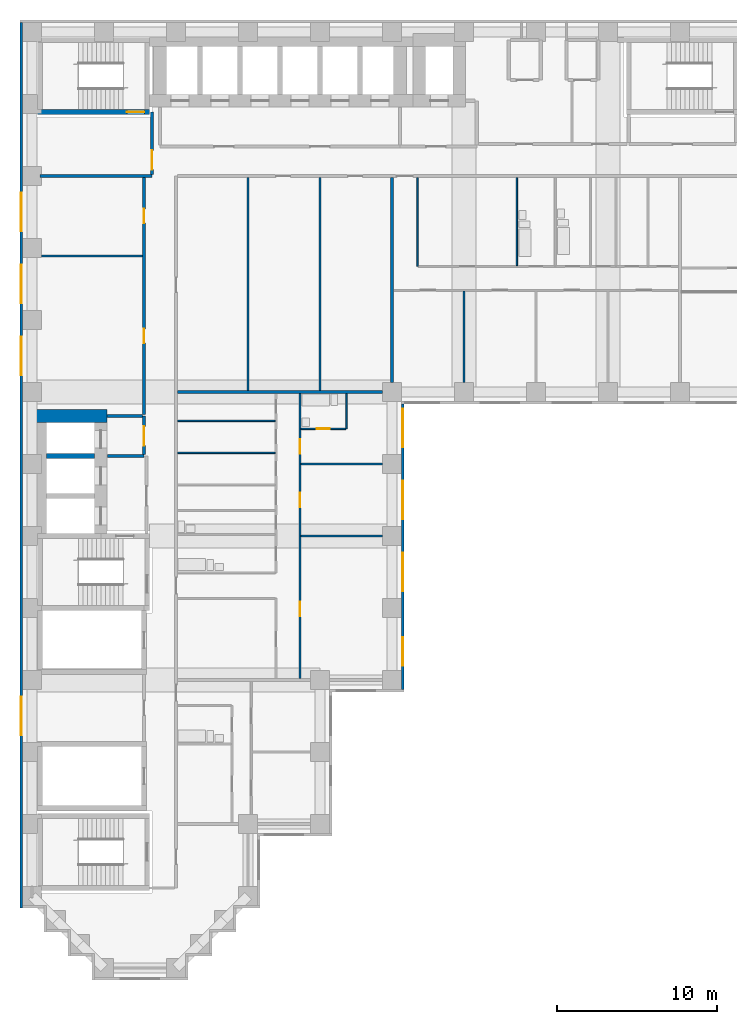
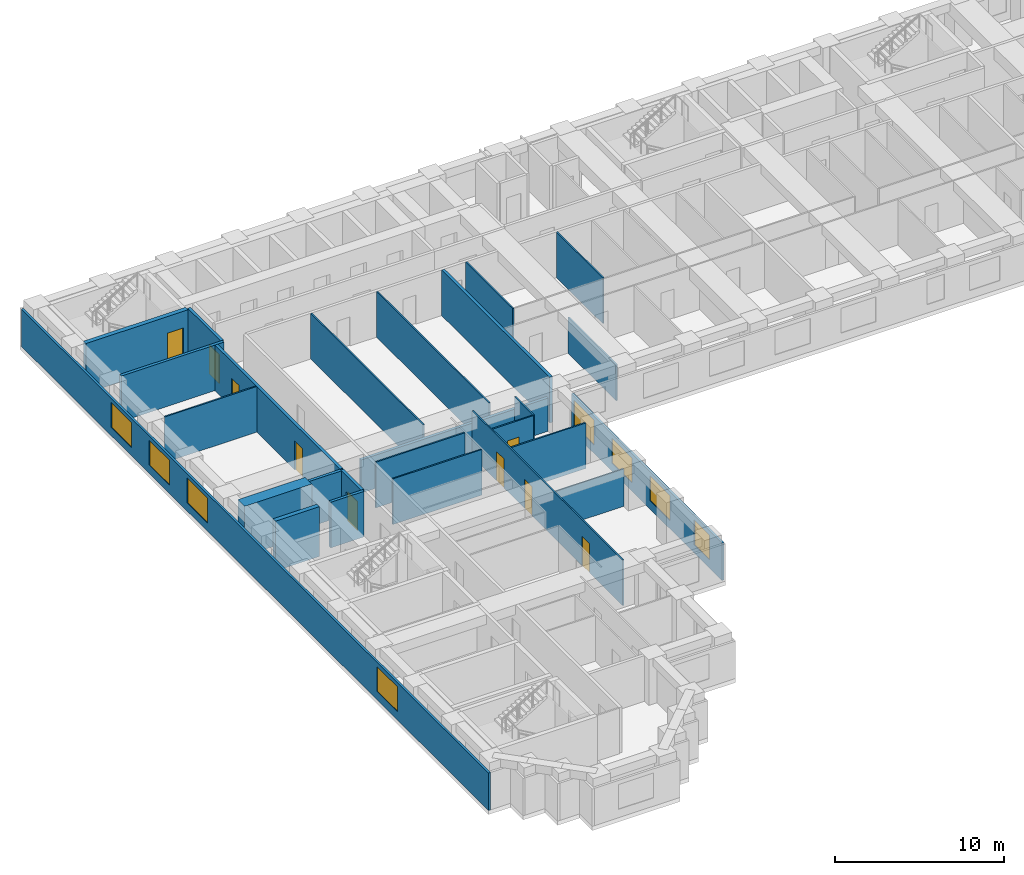
# One storey, part 4 of 12: 26 walls, 9 doors, 8 windows, 17 openings.
"""IFC4 building model written with IfcOpenShell, lengths in metres."""

from ifc_helpers import new_model, si_unit, direction, frame, frame_2d, origin, place, context, subcontext, project, spatial, rectangle, extrude, material, layer, layer_set, type_object, element, fill, save


model = new_model("IFC4")

# Units and contexts
model_context = context("Model", 3, precision=1e-05, world=origin(), true_north=direction((0.0, 1.0)))
body_context = subcontext(model_context, "Body", "Model", "MODEL_VIEW")
ifc_project = project(units=[si_unit("LENGTHUNIT", "METRE"), si_unit("AREAUNIT", "SQUARE_METRE"), si_unit("VOLUMEUNIT", "CUBIC_METRE"), si_unit("PLANEANGLEUNIT", "RADIAN"), si_unit("MASSUNIT", "GRAM", prefix="KILO")], contexts=[model_context])

# Site, building, storey
site_placement = place(None, origin())
site = spatial("IfcSite", under=ifc_project, at=site_placement, CompositionType="ELEMENT")
building_placement = place(site_placement, origin())
building = spatial("IfcBuilding", under=site, at=building_placement, Name="Firuza Court", CompositionType="ELEMENT")
storey_placement = place(building_placement, frame((0.0, 0.0, 97.39990234375)))
storey = spatial("IfcBuildingStorey", under=building, at=storey_placement, Name="L24", CompositionType="ELEMENT", Elevation=97.39990234375)

# Wall, opening, door
ifc_material_1 = material(Name="Moisture-resistant gypsum board partition")
ifc_layer_1 = layer(ifc_material_1, 0.10009765625)
ifc_layer_set_1 = layer_set([ifc_layer_1], Name="Moisture-resistant gypsum board partition")
wall_type_1 = type_object("IfcWallType", Name="Bathroom partition 100", PredefinedType="PLUMBINGWALL", material=ifc_layer_set_1)
wall_1_placement = place(storey_placement, frame((16.800048828125, 33.699951171875, 0.0), z_axis=(0.0, 0.0, 1.0), x_axis=(1.0, 0.0, 0.0)))
wall_1 = element("IfcWall", 1, at=wall_1_placement, inside=storey, type_object=wall_type_1, Name="Bathroom partition 100 L24", PredefinedType="PLUMBINGWALL", context=body_context, shape_type="SweptSolid", body=[
    extrude(rectangle(XDim=2.800048828125, YDim=0.10009765625, at=frame_2d((1.39990234375, 0.0))), origin(), (0.0, 0.0, 1.0), 3.300048828125),
])
opening_1_placement = place(wall_1_placement, frame((1.0, 0.0, 0.0)))
opening_1 = element("IfcOpeningElement", 2, at=opening_1_placement, cuts=wall_1, Name="Opening D24038", PredefinedType="OPENING", context=body_context, shape_type="SweptSolid", body=[
    extrude(rectangle(XDim=0.800048828125, YDim=2.10009765625, at=frame_2d((0.39990234375, 1.050048828125))), frame((0.0, 0.06201171875, 0.0), z_axis=(0.0, -1.0, 0.0), x_axis=(1.0, 0.0, 0.0)), (0.0, 0.0, 1.0), 0.1240234375),
])
ifc_material_2 = material(Name="Timber door leaf in hardwood frame", Category="wood")
door_type_1 = type_object("IfcDoorType", Name="Bathroom door 800", OperationType="SINGLE_SWING_LEFT", PredefinedType="DOOR", material=ifc_material_2)
door_1_placement = place(opening_1_placement, origin())
door_1 = element("IfcDoor", 3, at=door_1_placement, inside=storey, type_object=door_type_1, Name="En-suite door", OperationType="SINGLE_SWING_LEFT", OverallHeight=2.10009765625, OverallWidth=0.800048828125, PredefinedType="DOOR", context=body_context, shape_type="SweptSolid", body=[
    extrude(rectangle(XDim=0.800048828125, YDim=2.10009765625, at=frame_2d((0.39990234375, 1.050048828125))), frame((0.0, 0.02490234375, 0.0), z_axis=(0.0, -1.0, 0.0), x_axis=(1.0, 0.0, 0.0)), (0.0, 0.0, 1.0), 0.050048828125),
])
fill(opening_1, door_1)

# Walls
wall_2_placement = place(storey_placement, frame((19.64990234375, 33.699951171875, 0.0), z_axis=(0.0, 0.0, 1.0), x_axis=(0.0, 1.0, 0.0)))
element("IfcWall", 4, at=wall_2_placement, inside=storey, type_object=wall_type_1, Name="Bathroom partition 100 L24", PredefinedType="PLUMBINGWALL", context=body_context, shape_type="SweptSolid", body=[
    extrude(rectangle(XDim=2.199951171875, YDim=0.10009765625, at=frame_2d((1.10009765625, 0.0))), origin(), (0.0, 0.0, 1.0), 3.300048828125),
])
wall_3_placement = place(storey_placement, frame((30.300048828125, 43.89990234375, 0.0), z_axis=(0.0, 0.0, 1.0), x_axis=(0.0, 1.0, 0.0)))
element("IfcWall", 5, at=wall_3_placement, inside=storey, type_object=wall_type_1, Name="Bathroom partition 100 L24", PredefinedType="PLUMBINGWALL", context=body_context, shape_type="SweptSolid", body=[
    extrude(rectangle(XDim=5.5, YDim=0.10009765625, at=frame_2d((2.75, 0.0))), origin(), (0.0, 0.0, 1.0), 3.300048828125),
])

# Wall, opening, door
ifc_material_3 = material(Name="Concrete C60/75", Category="concrete")
ifc_layer_2 = layer(ifc_material_3, 0.300048828125)
ifc_layer_set_2 = layer_set([ifc_layer_2], Name="Concrete C60/75")
wall_type_2 = type_object("IfcWallType", Name="Core wall 300 C60/75", PredefinedType="SHEAR", material=ifc_layer_set_2)
wall_4_placement = place(storey_placement, frame((0.35009765625, 53.5, -0.2998046875), z_axis=(0.0, 0.0, 1.0), x_axis=(1.0, 0.0, 0.0)))
wall_4 = element("IfcWall", 6, at=wall_4_placement, inside=storey, type_object=wall_type_2, Name="Core wall stair L24", PredefinedType="SHEAR", context=body_context, shape_type="SweptSolid", body=[
    extrude(rectangle(XDim=7.0, YDim=0.300048828125, at=frame_2d((3.5, 0.0))), origin(), (0.0, 0.0, 1.0), 3.599853515625),
])
opening_2_placement = place(wall_4_placement, frame((5.580078125, 0.0, 0.300048828125)))
opening_2 = element("IfcOpeningElement", 7, at=opening_2_placement, cuts=wall_4, Name="Opening D24016", PredefinedType="OPENING", context=body_context, shape_type="SweptSolid", body=[
    extrude(rectangle(XDim=1.10009765625, YDim=2.10009765625, at=frame_2d((0.550048828125, 1.050048828125))), frame((0.0, 0.162109375, 0.0), z_axis=(0.0, -1.0, 0.0), x_axis=(1.0, 0.0, 0.0)), (0.0, 0.0, 1.0), 0.323974609375),
])
ifc_material_4 = material(Name="Timber door leaf in hardwood frame", Category="wood")
door_type_2 = type_object("IfcDoorType", Name="Stair door 1100", OperationType="SINGLE_SWING_LEFT", PredefinedType="DOOR", material=ifc_material_4)
door_2_placement = place(opening_2_placement, origin())
door_2 = element("IfcDoor", 8, at=door_2_placement, inside=storey, type_object=door_type_2, Name="Stair door S3", OperationType="SINGLE_SWING_RIGHT", OverallHeight=2.10009765625, OverallWidth=1.10009765625, PredefinedType="DOOR", context=body_context, shape_type="SweptSolid", body=[
    extrude(rectangle(XDim=1.10009765625, YDim=2.10009765625, at=frame_2d((0.550048828125, 1.050048828125))), frame((0.0, 0.02490234375, 0.0), z_axis=(0.0, -1.0, 0.0), x_axis=(1.0, 0.0, 0.0)), (0.0, 0.0, 1.0), 0.050048828125),
])
fill(opening_2, door_2)

# Walls
wall_5_placement = place(storey_placement, frame((0.89990234375, 32.0, -0.2998046875), z_axis=(0.0, 0.0, 1.0), x_axis=(1.0, 0.0, 0.0)))
element("IfcWall", 9, at=wall_5_placement, inside=storey, type_object=wall_type_2, Name="Core wall lift shaft L24", PredefinedType="SHEAR", context=body_context, shape_type="SweptSolid", body=[
    extrude(rectangle(XDim=3.0, YDim=0.300048828125, at=frame_2d((1.5, 0.0))), origin(), (0.0, 0.0, 1.0), 3.599853515625),
])
ifc_layer_3 = layer(ifc_material_3, 0.800048828125)
ifc_layer_set_3 = layer_set([ifc_layer_3], Name="Concrete C60/75")
wall_type_3 = type_object("IfcWallType", Name="Core wall 800 C60/75", PredefinedType="SHEAR", material=ifc_layer_set_3)
wall_6_placement = place(storey_placement, frame((0.10009765625, 34.5, -0.2998046875), z_axis=(0.0, 0.0, 1.0), x_axis=(1.0, 0.0, 0.0)))
element("IfcWall", 10, at=wall_6_placement, inside=storey, type_object=wall_type_3, Name="Core wall lift shaft L24", PredefinedType="SHEAR", context=body_context, shape_type="SweptSolid", body=[
    extrude(rectangle(XDim=4.599853515625, YDim=0.800048828125, at=frame_2d((2.2998046875, 0.0))), origin(), (0.0, 0.0, 1.0), 3.599853515625),
])

# Wall, openings, doors
ifc_material_5 = material(Name="Blockwork, plastered both sides", Category="masonry")
ifc_layer_4 = layer(ifc_material_5, 0.199951171875)
ifc_layer_set_4 = layer_set([ifc_layer_4], Name="Blockwork, plastered both sides")
wall_type_4 = type_object("IfcWallType", Name="Corridor wall 200", PredefinedType="PARTITIONING", material=ifc_layer_set_4)
wall_7_placement = place(storey_placement, frame((7.0, 34.60009765625, 0.0), z_axis=(0.0, 0.0, 1.0), x_axis=(0.0, 1.0, 0.0)))
wall_7 = element("IfcWall", 11, at=wall_7_placement, inside=storey, type_object=wall_type_4, Name="Corridor wall 200 L24", PredefinedType="PARTITIONING", context=body_context, shape_type="SweptSolid", body=[
    extrude(rectangle(XDim=14.7998046875, YDim=0.199951171875, at=frame_2d((7.39990234375, 0.0))), origin(), (0.0, 0.0, 1.0), 3.300048828125),
])
opening_3_placement = place(wall_7_placement, frame((4.449951171875, 0.0, 0.0)))
opening_3 = element("IfcOpeningElement", 12, at=opening_3_placement, cuts=wall_7, Name="Opening D24039", PredefinedType="OPENING", context=body_context, shape_type="SweptSolid", body=[
    extrude(rectangle(XDim=0.89990234375, YDim=2.10009765625, at=frame_2d((0.449951171875, 1.050048828125))), frame((0.0, 0.11181640625, 0.0), z_axis=(0.0, -1.0, 0.0), x_axis=(1.0, 0.0, 0.0)), (0.0, 0.0, 1.0), 0.223876953125),
])
opening_4_placement = place(wall_7_placement, frame((11.949951171875, 0.0, 0.0)))
opening_4 = element("IfcOpeningElement", 13, at=opening_4_placement, cuts=wall_7, Name="Opening D24040", PredefinedType="OPENING", context=body_context, shape_type="SweptSolid", body=[
    extrude(rectangle(XDim=0.89990234375, YDim=2.10009765625, at=frame_2d((0.449951171875, 1.050048828125))), frame((0.0, 0.11181640625, 0.0), z_axis=(0.0, -1.0, 0.0), x_axis=(1.0, 0.0, 0.0)), (0.0, 0.0, 1.0), 0.223876953125),
])
ifc_material_6 = material(Name="Timber door leaf in hardwood frame", Category="wood")
door_type_3 = type_object("IfcDoorType", Name="Room door 900 EI 30", OperationType="SINGLE_SWING_LEFT", PredefinedType="DOOR", material=ifc_material_6)
door_3_placement = place(opening_3_placement, origin())
door_3 = element("IfcDoor", 14, at=door_3_placement, inside=storey, type_object=door_type_3, Name="Residents' workroom door", OperationType="SINGLE_SWING_LEFT", OverallHeight=2.10009765625, OverallWidth=0.89990234375, PredefinedType="DOOR", context=body_context, shape_type="SweptSolid", body=[
    extrude(rectangle(XDim=0.89990234375, YDim=2.10009765625, at=frame_2d((0.449951171875, 1.050048828125))), frame((0.0, 0.02490234375, 0.0), z_axis=(0.0, -1.0, 0.0), x_axis=(1.0, 0.0, 0.0)), (0.0, 0.0, 1.0), 0.050048828125),
])
fill(opening_3, door_3)
door_4_placement = place(opening_4_placement, origin())
door_4 = element("IfcDoor", 15, at=door_4_placement, inside=storey, type_object=door_type_3, Name="Residents' workroom door", OperationType="SINGLE_SWING_LEFT", OverallHeight=2.10009765625, OverallWidth=0.89990234375, PredefinedType="DOOR", context=body_context, shape_type="SweptSolid", body=[
    extrude(rectangle(XDim=0.89990234375, YDim=2.10009765625, at=frame_2d((0.449951171875, 1.050048828125))), frame((0.0, 0.02490234375, 0.0), z_axis=(0.0, -1.0, 0.0), x_axis=(1.0, 0.0, 0.0)), (0.0, 0.0, 1.0), 0.050048828125),
])
fill(opening_4, door_4)

ifc_material_7 = material(Name="Timber stud partition, plasterboard both sides", Category="wood")
ifc_layer_5 = layer(ifc_material_7, 0.10009765625)
ifc_layer_set_5 = layer_set([ifc_layer_5], Name="Timber stud partition, plasterboard both sides")
wall_type_5 = type_object("IfcWallType", Name="Partition wall 100", PredefinedType="PARTITIONING", material=ifc_layer_set_5)
wall_8_placement = place(storey_placement, frame((16.75, 18.10009765625, 0.0), z_axis=(0.0, 0.0, 1.0), x_axis=(0.0, 1.0, 0.0)))
wall_8 = element("IfcWall", 16, at=wall_8_placement, inside=storey, type_object=wall_type_5, Name="Partition wall 100 L24", PredefinedType="PARTITIONING", context=body_context, shape_type="SweptSolid", body=[
    extrude(rectangle(XDim=17.7998046875, YDim=0.10009765625, at=frame_2d((8.89990234375, 0.0))), origin(), (0.0, 0.0, 1.0), 3.300048828125),
])
opening_5_placement = place(wall_8_placement, frame((3.89990234375, 0.0, 0.0)))
opening_5 = element("IfcOpeningElement", 17, at=opening_5_placement, cuts=wall_8, Name="Opening D24029", PredefinedType="OPENING", context=body_context, shape_type="SweptSolid", body=[
    extrude(rectangle(XDim=0.89990234375, YDim=2.10009765625, at=frame_2d((0.449951171875, 1.050048828125))), frame((0.0, 0.06201171875, 0.0), z_axis=(0.0, -1.0, 0.0), x_axis=(1.0, 0.0, 0.0)), (0.0, 0.0, 1.0), 0.1240234375),
])
opening_6_placement = place(wall_8_placement, frame((10.699951171875, 0.0, 0.0)))
opening_6 = element("IfcOpeningElement", 18, at=opening_6_placement, cuts=wall_8, Name="Opening D24030", PredefinedType="OPENING", context=body_context, shape_type="SweptSolid", body=[
    extrude(rectangle(XDim=0.89990234375, YDim=2.10009765625, at=frame_2d((0.449951171875, 1.050048828125))), frame((0.0, 0.06201171875, 0.0), z_axis=(0.0, -1.0, 0.0), x_axis=(1.0, 0.0, 0.0)), (0.0, 0.0, 1.0), 0.1240234375),
])
opening_7_placement = place(wall_8_placement, frame((14.050048828125, 0.0, 0.0)))
opening_7 = element("IfcOpeningElement", 19, at=opening_7_placement, cuts=wall_8, Name="Opening D24031", PredefinedType="OPENING", context=body_context, shape_type="SweptSolid", body=[
    extrude(rectangle(XDim=0.89990234375, YDim=2.10009765625, at=frame_2d((0.449951171875, 1.050048828125))), frame((0.0, 0.06201171875, 0.0), z_axis=(0.0, -1.0, 0.0), x_axis=(1.0, 0.0, 0.0)), (0.0, 0.0, 1.0), 0.1240234375),
])
ifc_material_8 = material(Name="Timber door leaf in hardwood frame", Category="wood")
door_type_4 = type_object("IfcDoorType", Name="Room door 900", OperationType="SINGLE_SWING_LEFT", PredefinedType="DOOR", material=ifc_material_8)
door_5_placement = place(opening_5_placement, frame((0.89990234375, 0.0, 0.0), z_axis=(0.0, 0.0, 1.0), x_axis=(-1.0, 0.0, 0.0)))
door_5 = element("IfcDoor", 20, at=door_5_placement, inside=storey, type_object=door_type_4, Name="Living room door", OperationType="SINGLE_SWING_RIGHT", OverallHeight=2.10009765625, OverallWidth=0.89990234375, PredefinedType="DOOR", context=body_context, shape_type="SweptSolid", body=[
    extrude(rectangle(XDim=0.89990234375, YDim=2.10009765625, at=frame_2d((0.449951171875, 1.050048828125))), frame((0.0, 0.02490234375, 0.0), z_axis=(0.0, -1.0, 0.0), x_axis=(1.0, 0.0, 0.0)), (0.0, 0.0, 1.0), 0.050048828125),
])
fill(opening_5, door_5)
door_6_placement = place(opening_6_placement, frame((0.89990234375, 0.0, 0.0), z_axis=(0.0, 0.0, 1.0), x_axis=(-1.0, 0.0, 0.0)))
door_6 = element("IfcDoor", 21, at=door_6_placement, inside=storey, type_object=door_type_4, Name="Bedroom door", OperationType="SINGLE_SWING_RIGHT", OverallHeight=2.10009765625, OverallWidth=0.89990234375, PredefinedType="DOOR", context=body_context, shape_type="SweptSolid", body=[
    extrude(rectangle(XDim=0.89990234375, YDim=2.10009765625, at=frame_2d((0.449951171875, 1.050048828125))), frame((0.0, 0.02490234375, 0.0), z_axis=(0.0, -1.0, 0.0), x_axis=(1.0, 0.0, 0.0)), (0.0, 0.0, 1.0), 0.050048828125),
])
fill(opening_6, door_6)
door_7_placement = place(opening_7_placement, frame((0.89990234375, 0.0, 0.0), z_axis=(0.0, 0.0, 1.0), x_axis=(-1.0, 0.0, 0.0)))
door_7 = element("IfcDoor", 22, at=door_7_placement, inside=storey, type_object=door_type_4, Name="Bedroom door", OperationType="SINGLE_SWING_RIGHT", OverallHeight=2.10009765625, OverallWidth=0.89990234375, PredefinedType="DOOR", context=body_context, shape_type="SweptSolid", body=[
    extrude(rectangle(XDim=0.89990234375, YDim=2.10009765625, at=frame_2d((0.449951171875, 1.050048828125))), frame((0.0, 0.02490234375, 0.0), z_axis=(0.0, -1.0, 0.0), x_axis=(1.0, 0.0, 0.0)), (0.0, 0.0, 1.0), 0.050048828125),
])
fill(opening_7, door_7)

# Walls
wall_9_placement = place(storey_placement, frame((16.800048828125, 27.0, 0.0), z_axis=(0.0, 0.0, 1.0), x_axis=(1.0, 0.0, 0.0)))
element("IfcWall", 23, at=wall_9_placement, inside=storey, type_object=wall_type_5, Name="Partition wall 100 L24", PredefinedType="PARTITIONING", context=body_context, shape_type="SweptSolid", body=[
    extrude(rectangle(XDim=5.099853515625, YDim=0.10009765625, at=frame_2d((2.5498046875, 0.0))), origin(), (0.0, 0.0, 1.0), 2.7001953125),
])
wall_10_placement = place(storey_placement, frame((16.800048828125, 31.5, 0.0), z_axis=(0.0, 0.0, 1.0), x_axis=(1.0, 0.0, 0.0)))
element("IfcWall", 24, at=wall_10_placement, inside=storey, type_object=wall_type_5, Name="Partition wall 100 L24", PredefinedType="PARTITIONING", context=body_context, shape_type="SweptSolid", body=[
    extrude(rectangle(XDim=5.099853515625, YDim=0.10009765625, at=frame_2d((2.5498046875, 0.0))), origin(), (0.0, 0.0, 1.0), 3.300048828125),
])
for number, where, z_axis, x_axis, name in (
    (25, (9.10009765625, 32.199951171875, 0.0), (0.0, 0.0, 1.0), (1.0, 0.0, 0.0), "Partition wall 100 L24"),
    (26, (9.10009765625, 34.199951171875, 0.0), (0.0, 0.0, 1.0), (1.0, 0.0, 0.0), "Partition wall 100 L24"),
):
    element("IfcWall", number, at=place(storey_placement, frame(where, z_axis=z_axis, x_axis=x_axis)), inside=storey, type_object=wall_type_5, Name=name, PredefinedType="PARTITIONING", context=body_context, shape_type="SweptSolid", body=[
        extrude(rectangle(XDim=6.099853515625, YDim=0.10009765625, at=frame_2d((3.0498046875, 0.0))), origin(), (0.0, 0.0, 1.0), 3.300048828125),
    ])
for number, where, z_axis, x_axis, name in (
    (27, (13.5, 36.10009765625, 0.0), (0.0, 0.0, 1.0), (0.0, 1.0, 0.0), "Partition wall 100 L24"),
    (28, (18.0, 36.10009765625, 0.0), (0.0, 0.0, 1.0), (0.0, 1.0, 0.0), "Partition wall 100 L24"),
):
    element("IfcWall", number, at=place(storey_placement, frame(where, z_axis=z_axis, x_axis=x_axis)), inside=storey, type_object=wall_type_5, Name=name, PredefinedType="PARTITIONING", context=body_context, shape_type="SweptSolid", body=[
        extrude(rectangle(XDim=13.2998046875, YDim=0.10009765625, at=frame_2d((6.64990234375, 0.0))), origin(), (0.0, 0.0, 1.0), 3.300048828125),
    ])
wall_11_placement = place(storey_placement, frame((27.0, 36.60009765625, 0.0), z_axis=(0.0, 0.0, 1.0), x_axis=(0.0, 1.0, 0.0)))
element("IfcWall", 29, at=wall_11_placement, inside=storey, type_object=wall_type_5, Name="Partition wall 100 L24", PredefinedType="PARTITIONING", context=body_context, shape_type="SweptSolid", body=[
    extrude(rectangle(XDim=5.699951171875, YDim=0.10009765625, at=frame_2d((2.85009765625, 0.0))), origin(), (0.0, 0.0, 1.0), 2.60009765625),
])
wall_12_placement = place(storey_placement, frame((24.10009765625, 43.85009765625, 0.0), z_axis=(0.0, 0.0, 1.0), x_axis=(0.0, 1.0, 0.0)))
element("IfcWall", 30, at=wall_12_placement, inside=storey, type_object=wall_type_5, Name="Partition wall 100 L24", PredefinedType="PARTITIONING", context=body_context, shape_type="SweptSolid", body=[
    extrude(rectangle(XDim=5.5498046875, YDim=0.10009765625, at=frame_2d((2.77490234375, 0.0))), origin(), (0.0, 0.0, 1.0), 3.300048828125),
])
wall_13_placement = place(storey_placement, frame((0.60009765625, 44.5, 0.0), z_axis=(0.0, 0.0, 1.0), x_axis=(1.0, 0.0, 0.0)))
element("IfcWall", 31, at=wall_13_placement, inside=storey, type_object=wall_type_5, Name="Partition wall 100 L24", PredefinedType="PARTITIONING", context=body_context, shape_type="SweptSolid", body=[
    extrude(rectangle(XDim=6.2998046875, YDim=0.10009765625, at=frame_2d((3.14990234375, 0.0))), origin(), (0.0, 0.0, 1.0), 3.300048828125),
])
ifc_layer_6 = layer(ifc_material_5, 0.199951171875)
ifc_layer_set_6 = layer_set([ifc_layer_6], Name="Blockwork, plastered both sides")
wall_type_6 = type_object("IfcWallType", Name="Party wall 200", PredefinedType="PARTITIONING", material=ifc_layer_set_6)
wall_14_placement = place(storey_placement, frame((9.10009765625, 36.0, 0.0), z_axis=(0.0, 0.0, 1.0), x_axis=(1.0, 0.0, 0.0)))
element("IfcWall", 32, at=wall_14_placement, inside=storey, type_object=wall_type_6, Name="Party wall 200 L24", PredefinedType="PARTITIONING", context=body_context, shape_type="SweptSolid", body=[
    extrude(rectangle(XDim=12.7998046875, YDim=0.199951171875, at=frame_2d((6.39990234375, 0.0))), origin(), (0.0, 0.0, 1.0), 2.400146484375),
])
wall_15_placement = place(storey_placement, frame((22.5, 36.60009765625, 0.0), z_axis=(0.0, 0.0, 1.0), x_axis=(0.0, 1.0, 0.0)))
element("IfcWall", 33, at=wall_15_placement, inside=storey, type_object=wall_type_6, Name="Party wall 200 L24", PredefinedType="PARTITIONING", context=body_context, shape_type="SweptSolid", body=[
    extrude(rectangle(XDim=12.7998046875, YDim=0.199951171875, at=frame_2d((6.39990234375, 0.0))), origin(), (0.0, 0.0, 1.0), 3.300048828125),
])

# Wall, openings, windows
ifc_material_9 = material(Name="Ceramic tile", Category="ceramic")
ifc_layer_7 = layer(ifc_material_9, 0.02001953125)
ifc_material_10 = material(Name="Mineral wool insulation", Category="insulation")
ifc_layer_8 = layer(ifc_material_10, 0.050048828125)
ifc_material_11 = material(Name="Concrete C40/50 precast", Category="concrete")
ifc_layer_9 = layer(ifc_material_11, 0.080078125)
ifc_layer_set_7 = layer_set([ifc_layer_7, ifc_layer_8, ifc_layer_9], Name="Concrete C40/50 precast")
wall_type_7 = type_object("IfcWallType", Name="Precast cladding wall with turquoise TILE PANEL face 150", PredefinedType="STANDARD", material=ifc_layer_set_7)
wall_16_placement = place(storey_placement, frame((23.175048828125, 17.39990234375, 0.0), z_axis=(0.0, 0.0, 1.0), x_axis=(0.0, 1.0, 0.0)))
wall_16 = element("IfcWall", 34, at=wall_16_placement, inside=storey, type_object=wall_type_7, Name="Facade wall L24 E", PredefinedType="STANDARD", context=body_context, shape_type="SweptSolid", body=[
    extrude(rectangle(XDim=17.85009765625, YDim=0.14990234375, at=frame_2d((8.925048828125, 0.0))), origin(), (0.0, 0.0, 1.0), 2.7001953125),
])
opening_8_placement = place(wall_16_placement, frame((1.487060546875, 0.0, 0.60009765625)))
opening_8 = element("IfcOpeningElement", 35, at=opening_8_placement, cuts=wall_16, Name="Opening W7", PredefinedType="OPENING", context=body_context, shape_type="SweptSolid", body=[
    extrude(rectangle(XDim=1.800048828125, YDim=1.800048828125, at=frame_2d((0.89990234375, 0.89990234375))), frame((0.0, 0.0869140625, 0.0), z_axis=(0.0, -1.0, 0.0), x_axis=(1.0, 0.0, 0.0)), (0.0, 0.0, 1.0), 0.173828125),
])
opening_9_placement = place(wall_16_placement, frame((6.14990234375, 0.0, 0.60009765625)))
opening_9 = element("IfcOpeningElement", 36, at=opening_9_placement, cuts=wall_16, Name="Opening W1", PredefinedType="OPENING", context=body_context, shape_type="SweptSolid", body=[
    extrude(rectangle(XDim=2.39990234375, YDim=1.800048828125, at=frame_2d((1.199951171875, 0.89990234375))), frame((0.0, 0.0869140625, 0.0), z_axis=(0.0, -1.0, 0.0), x_axis=(1.0, 0.0, 0.0)), (0.0, 0.0, 1.0), 0.173828125),
])
opening_10_placement = place(wall_16_placement, frame((10.64990234375, 0.0, 0.60009765625)))
opening_10 = element("IfcOpeningElement", 37, at=opening_10_placement, cuts=wall_16, Name="Opening W1", PredefinedType="OPENING", context=body_context, shape_type="SweptSolid", body=[
    extrude(rectangle(XDim=2.39990234375, YDim=1.800048828125, at=frame_2d((1.199951171875, 0.89990234375))), frame((0.0, 0.0869140625, 0.0), z_axis=(0.0, -1.0, 0.0), x_axis=(1.0, 0.0, 0.0)), (0.0, 0.0, 1.0), 0.173828125),
])
opening_11_placement = place(wall_16_placement, frame((15.14990234375, 0.0, 0.60009765625)))
opening_11 = element("IfcOpeningElement", 38, at=opening_11_placement, cuts=wall_16, Name="Opening W1", PredefinedType="OPENING", context=body_context, shape_type="SweptSolid", body=[
    extrude(rectangle(XDim=2.39990234375, YDim=1.800048828125, at=frame_2d((1.199951171875, 0.89990234375))), frame((0.0, 0.0869140625, 0.0), z_axis=(0.0, -1.0, 0.0), x_axis=(1.0, 0.0, 0.0)), (0.0, 0.0, 1.0), 0.173828125),
])
ifc_material_12 = material(Name="Aluminium frame, triple clear glazing", Category="aluminium")
window_type_1 = type_object("IfcWindowType", Name="Window W1 2400 x 1800", PartitioningType="SINGLE_PANEL", PredefinedType="WINDOW", material=ifc_material_12)
window_1_placement = place(opening_9_placement, origin())
window_1 = element("IfcWindow", 39, at=window_1_placement, inside=storey, type_object=window_type_1, Name="Window L24", OverallHeight=1.800048828125, OverallWidth=2.39990234375, PartitioningType="SINGLE_PANEL", PredefinedType="WINDOW", context=body_context, shape_type="SweptSolid", body=[
    extrude(rectangle(XDim=2.39990234375, YDim=1.800048828125, at=frame_2d((1.199951171875, 0.89990234375))), frame((0.0, 0.030029296875, 0.0), z_axis=(0.0, -1.0, 0.0), x_axis=(1.0, 0.0, 0.0)), (0.0, 0.0, 1.0), 0.06005859375),
])
fill(opening_9, window_1)
window_2_placement = place(opening_10_placement, origin())
window_2 = element("IfcWindow", 40, at=window_2_placement, inside=storey, type_object=window_type_1, Name="Window L24", OverallHeight=1.800048828125, OverallWidth=2.39990234375, PartitioningType="SINGLE_PANEL", PredefinedType="WINDOW", context=body_context, shape_type="SweptSolid", body=[
    extrude(rectangle(XDim=2.39990234375, YDim=1.800048828125, at=frame_2d((1.199951171875, 0.89990234375))), frame((0.0, 0.030029296875, 0.0), z_axis=(0.0, -1.0, 0.0), x_axis=(1.0, 0.0, 0.0)), (0.0, 0.0, 1.0), 0.06005859375),
])
fill(opening_10, window_2)
window_3_placement = place(opening_11_placement, origin())
window_3 = element("IfcWindow", 41, at=window_3_placement, inside=storey, type_object=window_type_1, Name="Window L24", OverallHeight=1.800048828125, OverallWidth=2.39990234375, PartitioningType="SINGLE_PANEL", PredefinedType="WINDOW", context=body_context, shape_type="SweptSolid", body=[
    extrude(rectangle(XDim=2.39990234375, YDim=1.800048828125, at=frame_2d((1.199951171875, 0.89990234375))), frame((0.0, 0.030029296875, 0.0), z_axis=(0.0, -1.0, 0.0), x_axis=(1.0, 0.0, 0.0)), (0.0, 0.0, 1.0), 0.06005859375),
])
fill(opening_11, window_3)
ifc_material_13 = material(Name="Aluminium frame, triple clear glazing", Category="aluminium")
window_type_2 = type_object("IfcWindowType", Name="Window W7 1800 x 1800", PartitioningType="SINGLE_PANEL", PredefinedType="WINDOW", material=ifc_material_13)
window_4_placement = place(opening_8_placement, origin())
window_4 = element("IfcWindow", 42, at=window_4_placement, inside=storey, type_object=window_type_2, Name="Window L24", OverallHeight=1.800048828125, OverallWidth=1.800048828125, PartitioningType="SINGLE_PANEL", PredefinedType="WINDOW", context=body_context, shape_type="SweptSolid", body=[
    extrude(rectangle(XDim=1.800048828125, YDim=1.800048828125, at=frame_2d((0.89990234375, 0.89990234375))), frame((0.0, 0.030029296875, 0.0), z_axis=(0.0, -1.0, 0.0), x_axis=(1.0, 0.0, 0.0)), (0.0, 0.0, 1.0), 0.06005859375),
])
fill(opening_8, window_4)

wall_17_placement = place(storey_placement, frame((-0.675048828125, 59.10009765625, 0.0), z_axis=(0.0, 0.0, 1.0), x_axis=(0.0, -1.0, 0.0)))
wall_17 = element("IfcWall", 43, at=wall_17_placement, inside=storey, type_object=wall_type_7, Name="Facade wall L24 W", PredefinedType="STANDARD", context=body_context, shape_type="SweptSolid", body=[
    extrude(rectangle(XDim=55.35009765625, YDim=0.14990234375, at=frame_2d((27.675048828125, 0.0))), origin(), (0.0, 0.0, 1.0), 2.7001953125),
])
opening_12_placement = place(wall_17_placement, frame((10.64990234375, 0.0, 0.60009765625)))
opening_12 = element("IfcOpeningElement", 44, at=opening_12_placement, cuts=wall_17, Name="Opening W1", PredefinedType="OPENING", context=body_context, shape_type="SweptSolid", body=[
    extrude(rectangle(XDim=2.39990234375, YDim=1.800048828125, at=frame_2d((1.199951171875, 0.89990234375))), frame((0.0, 0.0869140625, 0.0), z_axis=(0.0, -1.0, 0.0), x_axis=(1.0, 0.0, 0.0)), (0.0, 0.0, 1.0), 0.173828125),
])
opening_13_placement = place(wall_17_placement, frame((15.14990234375, 0.0, 0.60009765625)))
opening_13 = element("IfcOpeningElement", 45, at=opening_13_placement, cuts=wall_17, Name="Opening W1", PredefinedType="OPENING", context=body_context, shape_type="SweptSolid", body=[
    extrude(rectangle(XDim=2.39990234375, YDim=1.800048828125, at=frame_2d((1.199951171875, 0.89990234375))), frame((0.0, 0.0869140625, 0.0), z_axis=(0.0, -1.0, 0.0), x_axis=(1.0, 0.0, 0.0)), (0.0, 0.0, 1.0), 0.173828125),
])
opening_14_placement = place(wall_17_placement, frame((19.64990234375, 0.0, 0.60009765625)))
opening_14 = element("IfcOpeningElement", 46, at=opening_14_placement, cuts=wall_17, Name="Opening W1", PredefinedType="OPENING", context=body_context, shape_type="SweptSolid", body=[
    extrude(rectangle(XDim=2.39990234375, YDim=1.800048828125, at=frame_2d((1.199951171875, 0.89990234375))), frame((0.0, 0.0869140625, 0.0), z_axis=(0.0, -1.0, 0.0), x_axis=(1.0, 0.0, 0.0)), (0.0, 0.0, 1.0), 0.173828125),
])
opening_15_placement = place(wall_17_placement, frame((42.14990234375, 0.0, 0.60009765625)))
opening_15 = element("IfcOpeningElement", 47, at=opening_15_placement, cuts=wall_17, Name="Opening W1", PredefinedType="OPENING", context=body_context, shape_type="SweptSolid", body=[
    extrude(rectangle(XDim=2.39990234375, YDim=1.800048828125, at=frame_2d((1.199951171875, 0.89990234375))), frame((0.0, 0.0869140625, 0.0), z_axis=(0.0, -1.0, 0.0), x_axis=(1.0, 0.0, 0.0)), (0.0, 0.0, 1.0), 0.173828125),
])
window_5_placement = place(opening_12_placement, origin())
window_5 = element("IfcWindow", 48, at=window_5_placement, inside=storey, type_object=window_type_1, Name="Window L24", OverallHeight=1.800048828125, OverallWidth=2.39990234375, PartitioningType="SINGLE_PANEL", PredefinedType="WINDOW", context=body_context, shape_type="SweptSolid", body=[
    extrude(rectangle(XDim=2.39990234375, YDim=1.800048828125, at=frame_2d((1.199951171875, 0.89990234375))), frame((0.0, 0.030029296875, 0.0), z_axis=(0.0, -1.0, 0.0), x_axis=(1.0, 0.0, 0.0)), (0.0, 0.0, 1.0), 0.06005859375),
])
fill(opening_12, window_5)
window_6_placement = place(opening_13_placement, origin())
window_6 = element("IfcWindow", 49, at=window_6_placement, inside=storey, type_object=window_type_1, Name="Window L24", OverallHeight=1.800048828125, OverallWidth=2.39990234375, PartitioningType="SINGLE_PANEL", PredefinedType="WINDOW", context=body_context, shape_type="SweptSolid", body=[
    extrude(rectangle(XDim=2.39990234375, YDim=1.800048828125, at=frame_2d((1.199951171875, 0.89990234375))), frame((0.0, 0.030029296875, 0.0), z_axis=(0.0, -1.0, 0.0), x_axis=(1.0, 0.0, 0.0)), (0.0, 0.0, 1.0), 0.06005859375),
])
fill(opening_13, window_6)
window_7_placement = place(opening_14_placement, origin())
window_7 = element("IfcWindow", 50, at=window_7_placement, inside=storey, type_object=window_type_1, Name="Window L24", OverallHeight=1.800048828125, OverallWidth=2.39990234375, PartitioningType="SINGLE_PANEL", PredefinedType="WINDOW", context=body_context, shape_type="SweptSolid", body=[
    extrude(rectangle(XDim=2.39990234375, YDim=1.800048828125, at=frame_2d((1.199951171875, 0.89990234375))), frame((0.0, 0.030029296875, 0.0), z_axis=(0.0, -1.0, 0.0), x_axis=(1.0, 0.0, 0.0)), (0.0, 0.0, 1.0), 0.06005859375),
])
fill(opening_14, window_7)
window_8_placement = place(opening_15_placement, origin())
window_8 = element("IfcWindow", 51, at=window_8_placement, inside=storey, type_object=window_type_1, Name="Window L24", OverallHeight=1.800048828125, OverallWidth=2.39990234375, PartitioningType="SINGLE_PANEL", PredefinedType="WINDOW", context=body_context, shape_type="SweptSolid", body=[
    extrude(rectangle(XDim=2.39990234375, YDim=1.800048828125, at=frame_2d((1.199951171875, 0.89990234375))), frame((0.0, 0.030029296875, 0.0), z_axis=(0.0, -1.0, 0.0), x_axis=(1.0, 0.0, 0.0)), (0.0, 0.0, 1.0), 0.06005859375),
])
fill(opening_15, window_8)

# Wall
ifc_material_14 = material(Name="Blockwork, fire-rated", Category="masonry")
ifc_layer_10 = layer(ifc_material_14, 0.199951171875)
ifc_layer_set_8 = layer_set([ifc_layer_10], Name="Blockwork, fire-rated")
wall_type_8 = type_object("IfcWallType", Name="Shaft wall 200", PredefinedType="PARTITIONING", material=ifc_layer_set_8)
wall_18_placement = place(storey_placement, frame((4.719970703125, 32.0, 0.0), z_axis=(0.0, 0.0, 1.0), x_axis=(1.0, 0.0, 0.0)))
element("IfcWall", 52, at=wall_18_placement, inside=storey, type_object=wall_type_8, Name="Shaft wall 200 L24", PredefinedType="PARTITIONING", context=body_context, shape_type="SweptSolid", body=[
    extrude(rectangle(XDim=2.280029296875, YDim=0.199951171875, at=frame_2d((1.14013671875, 0.0))), origin(), (0.0, 0.0, 1.0), 3.300048828125),
])

# Wall, opening, door
wall_19_placement = place(storey_placement, frame((7.0, 32.10009765625, 0.0), z_axis=(0.0, 0.0, 1.0), x_axis=(0.0, 1.0, 0.0)))
wall_19 = element("IfcWall", 53, at=wall_19_placement, inside=storey, type_object=wall_type_8, Name="Shaft wall 200 L24", PredefinedType="PARTITIONING", context=body_context, shape_type="SweptSolid", body=[
    extrude(rectangle(XDim=2.39990234375, YDim=0.199951171875, at=frame_2d((1.199951171875, 0.0))), origin(), (0.0, 0.0, 1.0), 3.300048828125),
])
opening_16_placement = place(wall_19_placement, frame((0.550048828125, 0.0, 0.0)))
opening_16 = element("IfcOpeningElement", 54, at=opening_16_placement, cuts=wall_19, Name="Opening D24008", PredefinedType="OPENING", context=body_context, shape_type="SweptSolid", body=[
    extrude(rectangle(XDim=1.199951171875, YDim=2.10009765625, at=frame_2d((0.60009765625, 1.050048828125))), frame((0.0, 0.11181640625, 0.0), z_axis=(0.0, -1.0, 0.0), x_axis=(1.0, 0.0, 0.0)), (0.0, 0.0, 1.0), 0.223876953125),
])
ifc_material_15 = material(Name="Timber door leaf in hardwood frame", Category="wood")
door_type_5 = type_object("IfcDoorType", Name="Lobby door 1200", OperationType="SINGLE_SWING_LEFT", PredefinedType="DOOR", material=ifc_material_15)
door_8_placement = place(opening_16_placement, origin())
door_8 = element("IfcDoor", 55, at=door_8_placement, inside=storey, type_object=door_type_5, Name="Lobby door", OperationType="SINGLE_SWING_LEFT", OverallHeight=2.10009765625, OverallWidth=1.199951171875, PredefinedType="DOOR", context=body_context, shape_type="SweptSolid", body=[
    extrude(rectangle(XDim=1.199951171875, YDim=2.10009765625, at=frame_2d((0.60009765625, 1.050048828125))), frame((0.0, 0.02490234375, 0.0), z_axis=(0.0, -1.0, 0.0), x_axis=(1.0, 0.0, 0.0)), (0.0, 0.0, 1.0), 0.050048828125),
])
fill(opening_16, door_8)

# Walls
wall_20_placement = place(storey_placement, frame((4.699951171875, 34.5, 0.0), z_axis=(0.0, 0.0, 1.0), x_axis=(1.0, 0.0, 0.0)))
element("IfcWall", 56, at=wall_20_placement, inside=storey, type_object=wall_type_8, Name="Shaft wall 200 L24", PredefinedType="PARTITIONING", context=body_context, shape_type="SweptSolid", body=[
    extrude(rectangle(XDim=2.199951171875, YDim=0.199951171875, at=frame_2d((1.10009765625, 0.0))), origin(), (0.0, 0.0, 1.0), 3.300048828125),
])
wall_21_placement = place(storey_placement, frame((0.5, 49.5, 0.0), z_axis=(0.0, 0.0, 1.0), x_axis=(1.0, 0.0, 0.0)))
element("IfcWall", 57, at=wall_21_placement, inside=storey, type_object=wall_type_8, Name="Shaft wall 200 L24", PredefinedType="PARTITIONING", context=body_context, shape_type="SweptSolid", body=[
    extrude(rectangle(XDim=7.0, YDim=0.199951171875, at=frame_2d((3.5, 0.0))), origin(), (0.0, 0.0, 1.0), 3.300048828125),
])

# Wall, opening, door
wall_22_placement = place(storey_placement, frame((7.5, 49.60009765625, 0.0), z_axis=(0.0, 0.0, 1.0), x_axis=(0.0, 1.0, 0.0)))
wall_22 = element("IfcWall", 58, at=wall_22_placement, inside=storey, type_object=wall_type_8, Name="Shaft wall 200 L24", PredefinedType="PARTITIONING", context=body_context, shape_type="SweptSolid", body=[
    extrude(rectangle(XDim=3.89990234375, YDim=0.199951171875, at=frame_2d((1.949951171875, 0.0))), origin(), (0.0, 0.0, 1.0), 3.300048828125),
])
opening_17_placement = place(wall_22_placement, frame((0.300048828125, 0.0, 0.0)))
opening_17 = element("IfcOpeningElement", 59, at=opening_17_placement, cuts=wall_22, Name="Opening D24001", PredefinedType="OPENING", context=body_context, shape_type="SweptSolid", body=[
    extrude(rectangle(XDim=1.199951171875, YDim=2.10009765625, at=frame_2d((0.60009765625, 1.050048828125))), frame((0.0, 0.11181640625, 0.0), z_axis=(0.0, -1.0, 0.0), x_axis=(1.0, 0.0, 0.0)), (0.0, 0.0, 1.0), 0.223876953125),
])
door_9_placement = place(opening_17_placement, origin())
door_9 = element("IfcDoor", 60, at=door_9_placement, inside=storey, type_object=door_type_5, Name="Lobby door", OperationType="SINGLE_SWING_LEFT", OverallHeight=2.10009765625, OverallWidth=1.199951171875, PredefinedType="DOOR", context=body_context, shape_type="SweptSolid", body=[
    extrude(rectangle(XDim=1.199951171875, YDim=2.10009765625, at=frame_2d((0.60009765625, 1.050048828125))), frame((0.0, 0.02490234375, 0.0), z_axis=(0.0, -1.0, 0.0), x_axis=(1.0, 0.0, 0.0)), (0.0, 0.0, 1.0), 0.050048828125),
])
fill(opening_17, door_9)

save(model, "model.ifc")
